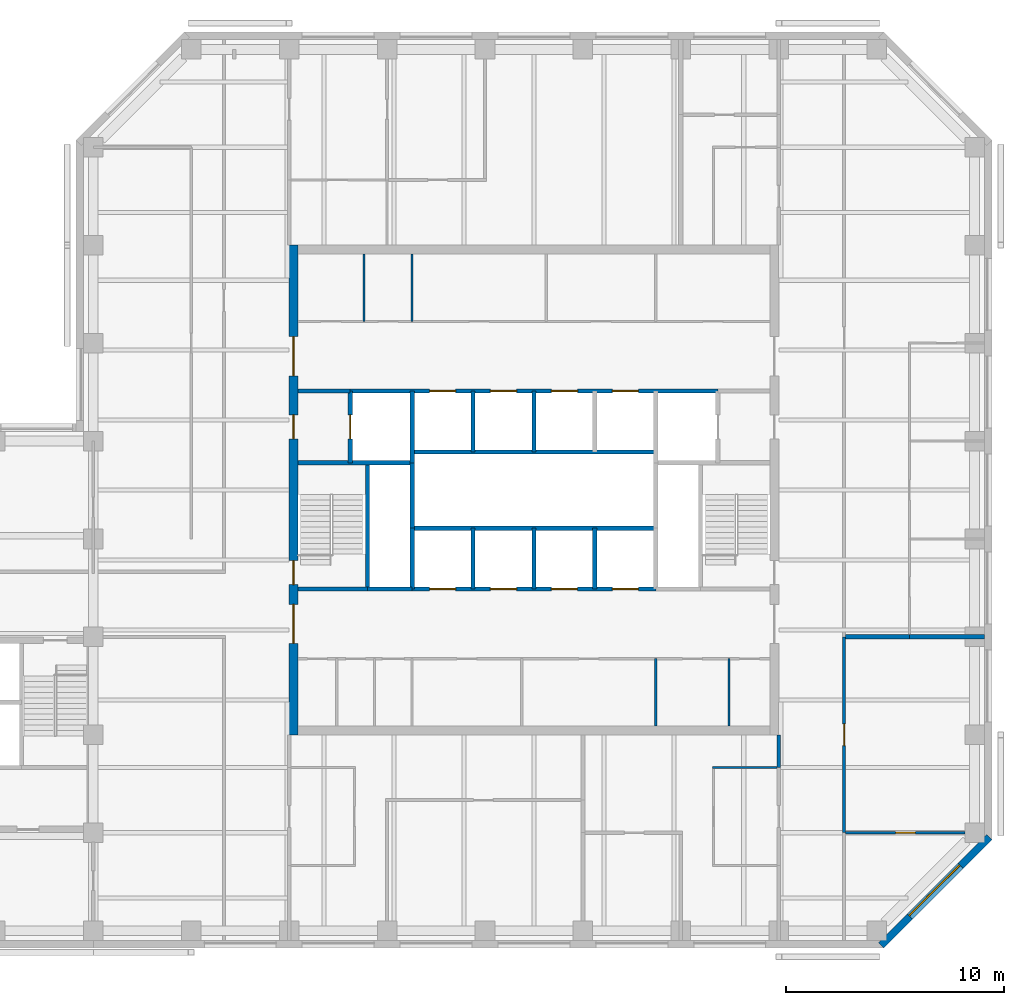
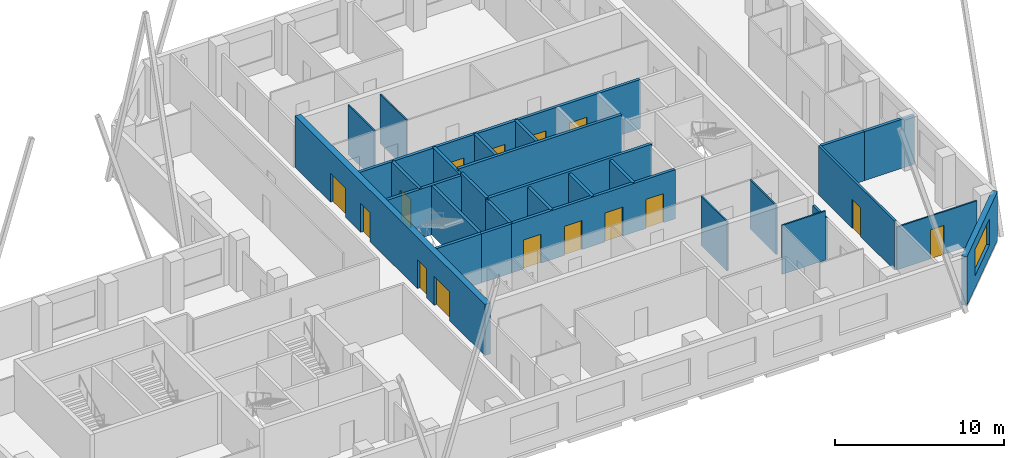
# One storey, part 5 of 9: 30 walls, 15 doors, 1 window, 16 openings.
"""IFC4 building model written with IfcOpenShell, lengths in metres."""

import ifcopenshell
import ifcopenshell.guid

model = None  # the IFC model being written
_history = None  # IfcOwnerHistory: only IFC2X3 demands one
_inside = {}  # id of a spatial element -> (the spatial element, [elements in it])
_under = {}  # id of a project, library or spatial element -> (it, [spatial elements below it])
_declared = {}  # id of a project -> (the project, [libraries it declares])
_typed = {}  # id of a type object -> (the type object, [elements of that type])
_made_of = {}  # id of a material, layer set ... -> (it, [elements and type objects made of it])


def new_model(schema):
    """Start an empty IFC model of exactly this schema.

    Asked for "IFC4X3", IfcOpenShell would pick the latest addendum, in which some entities
    have other attributes; the version numbers below select the first issue.
    IFC2X3 requires an IfcOwnerHistory on every rooted entity: one is made here for all.
    """
    global model, _history
    if schema == "IFC4X3":
        model = ifcopenshell.file(schema_version=(4, 3, 0, 0))
    else:
        model = ifcopenshell.file(schema=schema)
    _inside.clear()
    _under.clear()
    _declared.clear()
    _typed.clear()
    _made_of.clear()
    _history = None
    if model.schema == "IFC2X3":
        org = make("IfcOrganization", Name="unknown")
        user = make(
            "IfcPersonAndOrganization",
            ThePerson=make("IfcPerson", FamilyName="unknown"),
            TheOrganization=org,
        )
        app = make(
            "IfcApplication",
            ApplicationDeveloper=org,
            Version="unknown",
            ApplicationFullName="unknown",
            ApplicationIdentifier="unknown",
        )
        _history = make(
            "IfcOwnerHistory",
            OwningUser=user,
            OwningApplication=app,
            ChangeAction="ADDED",
            CreationDate=0,
        )
    return model


def make(cls, **values):
    """One entity of the class cls with the attributes given. An attribute that is None is left unset."""
    return model.create_entity(
        cls, **{name: value for name, value in values.items() if value is not None}
    )


def rooted(cls, **values):
    """An entity with a GlobalId (a new one), such as an element, a storey or a relation."""
    return make(cls, GlobalId=ifcopenshell.guid.new(), OwnerHistory=_history, **values)


def si_unit(unit_type, name, prefix=None):
    """IfcSIUnit, for example si_unit("LENGTHUNIT", "METRE", prefix="MILLI")."""
    return make("IfcSIUnit", UnitType=unit_type, Prefix=prefix, Name=name)


def assignment(units):
    """IfcUnitAssignment: the units of a project."""
    return None if units is None else make("IfcUnitAssignment", Units=units)


def point(xyz):
    """IfcCartesianPoint."""
    return None if xyz is None else make("IfcCartesianPoint", Coordinates=xyz)


def direction(xyz):
    """IfcDirection."""
    return None if xyz is None else make("IfcDirection", DirectionRatios=xyz)


def frame(location, z_axis=None, x_axis=None):
    """IfcAxis2Placement3D, a coordinate frame: its origin and axes. An axis left out is left unset."""
    return make(
        "IfcAxis2Placement3D",
        Location=point(location),
        Axis=direction(z_axis),
        RefDirection=direction(x_axis),
    )


def frame_2d(location, x_axis=None):
    """IfcAxis2Placement2D, a coordinate frame in the plane: its origin and x axis."""
    return make(
        "IfcAxis2Placement2D", Location=point(location), RefDirection=direction(x_axis)
    )


def origin():
    """The frame at (0, 0, 0) with its axes left unset."""
    return frame((0.0, 0.0, 0.0))


def place(relative_to, where):
    """IfcLocalPlacement: puts the frame where relative to a parent placement (None: the world)."""
    return make(
        "IfcLocalPlacement", PlacementRelTo=relative_to, RelativePlacement=where
    )


def context(
    kind, dimensions, precision=None, world=None, true_north=None, identifier=None
):
    """IfcGeometricRepresentationContext, for example the 3D "Model" context."""
    return make(
        "IfcGeometricRepresentationContext",
        ContextIdentifier=identifier,
        ContextType=kind,
        CoordinateSpaceDimension=dimensions,
        Precision=precision,
        WorldCoordinateSystem=world,
        TrueNorth=true_north,
    )


def subcontext(parent, identifier, kind, view, scale=None):
    """IfcGeometricRepresentationSubContext, for example "Body" below "Model"."""
    return make(
        "IfcGeometricRepresentationSubContext",
        ContextIdentifier=identifier,
        ContextType=kind,
        ParentContext=parent,
        TargetScale=scale,
        TargetView=view,
    )


def project(units=None, contexts=None):
    """IfcProject with its units and contexts."""
    return rooted(
        "IfcProject",
        Name="project",
        RepresentationContexts=contexts,
        UnitsInContext=assignment(units),
    )


def spatial(cls, under=None, at=None, **own):
    """A site, building, storey or space (cls), placed at a placement, below another one or the project."""
    s = rooted(cls, ObjectPlacement=at, **own)
    if under is not None:
        _under.setdefault(under.id(), (under, []))[1].append(s)
    return s


def profile(cls, at=None, kind="AREA", **sizes):
    """A parametric profile (cls). Its sizes go by their IFC names, for example OverallWidth=200.0."""
    return make(cls, ProfileType=kind, Position=at, **sizes)


def rectangle(**sizes):
    """IfcRectangleProfileDef."""
    return profile("IfcRectangleProfileDef", **sizes)


def extrude(swept, where, along, depth):
    """IfcExtrudedAreaSolid: the profile swept, set in the frame where, extruded along a direction by depth."""
    return make(
        "IfcExtrudedAreaSolid",
        SweptArea=swept,
        Position=where,
        ExtrudedDirection=direction(along),
        Depth=depth,
    )


def shape(context_of_items, identifier, shape_type, items):
    """IfcShapeRepresentation: the items that make up one representation, for example the "Body"."""
    return make(
        "IfcShapeRepresentation",
        ContextOfItems=context_of_items,
        RepresentationIdentifier=identifier,
        RepresentationType=shape_type,
        Items=items,
    )


def material(Name=None, Category=None):
    """IfcMaterial."""
    return make("IfcMaterial", Name=Name, Category=Category)


def layer(
    of_material, thickness, ventilated=None, Name=None, Category=None, Priority=None
):
    """IfcMaterialLayer: one layer of a wall or slab, of a material (None: an air gap)."""
    return make(
        "IfcMaterialLayer",
        Material=of_material,
        LayerThickness=thickness,
        IsVentilated=ventilated,
        Name=Name,
        Category=Category,
        Priority=Priority,
    )


def layer_set(layers, Name=None):
    """IfcMaterialLayerSet."""
    return make("IfcMaterialLayerSet", MaterialLayers=layers, LayerSetName=Name)


def constituent(of_material, Name=None, Category=None, fraction=None):
    """IfcMaterialConstituent: one of the materials an element consists of."""
    return make(
        "IfcMaterialConstituent",
        Name=Name,
        Material=of_material,
        Fraction=fraction,
        Category=Category,
    )


def constituent_set(constituents=None, Name=None):
    """IfcMaterialConstituentSet."""
    return make(
        "IfcMaterialConstituentSet", Name=Name, MaterialConstituents=constituents
    )


def made_of(thing, what):
    """Note that an element or type object is made of a material, layer set ...; save() writes the relation."""
    if what is not None:
        _made_of.setdefault(what.id(), (what, []))[1].append(thing)
    return thing


def type_object(cls, material=None, **own):
    """A type object (cls), such as IfcWallType, which elements share."""
    return made_of(rooted(cls, **own), material)


def element(
    cls,
    number,
    at=None,
    inside=None,
    cuts=None,
    type_object=None,
    material=None,
    context=None,
    identifier="Body",
    shape_type=None,
    held_by="IfcProductDefinitionShape",
    body=None,
    shapes=None,
    **own,
):
    """One element of the class cls, such as IfcWall. Its Tag is "e" and its number.

    at: its placement. inside: the storey or other place that contains it. cuts: it is an
    opening in that element (IfcRelVoidsElement). A single representation is given by context,
    identifier, shape_type and body (its items); several are given by shapes. held_by: the class
    of the entity that holds the representations. save() writes the other relations.
    """
    e = rooted(cls, Tag="e%d" % number, ObjectPlacement=at, **own)
    if body is not None:
        shapes = [shape(context, identifier, shape_type, body)]
    if shapes is not None:
        e.Representation = make(held_by, Representations=shapes)
    if inside is not None:
        _inside.setdefault(inside.id(), (inside, []))[1].append(e)
    if cuts is not None:
        rooted(
            "IfcRelVoidsElement", RelatingBuildingElement=cuts, RelatedOpeningElement=e
        )
    if type_object is not None:
        _typed.setdefault(type_object.id(), (type_object, []))[1].append(e)
    return made_of(e, material)


def fill(opening, filler):
    """IfcRelFillsElement: the door or window that sits in an opening."""
    return rooted(
        "IfcRelFillsElement",
        RelatingOpeningElement=opening,
        RelatedBuildingElement=filler,
    )


def aggregate(whole, parts):
    """IfcRelAggregates: a whole, such as a stair, and the parts it consists of."""
    return rooted("IfcRelAggregates", RelatingObject=whole, RelatedObjects=parts)


def save(model, path):
    """Write the relations noted so far, then the file.

    IfcRelAggregates (storeys below a building ...), IfcRelContainedInSpatialStructure (elements
    in a storey), IfcRelDefinesByType, IfcRelAssociatesMaterial and IfcRelDeclares: one each for
    every whole, place, type object, material and project.
    """
    for whole, parts in _under.values():
        aggregate(whole, parts)
    for where, things in _inside.values():
        rooted(
            "IfcRelContainedInSpatialStructure",
            RelatedElements=things,
            RelatingStructure=where,
        )
    for kind, things in _typed.values():
        rooted("IfcRelDefinesByType", RelatedObjects=things, RelatingType=kind)
    for what, things in _made_of.values():
        rooted("IfcRelAssociatesMaterial", RelatedObjects=things, RelatingMaterial=what)
    for by, libraries in _declared.values():
        rooted("IfcRelDeclares", RelatingContext=by, RelatedDefinitions=libraries)
    model.write(path)


model = new_model("IFC4")

# Units and contexts
model_context = context("Model", 3, precision=1e-05, world=origin(), true_north=direction((0.0, 1.0)))
body_context = subcontext(model_context, "Body", "Model", "MODEL_VIEW")
ifc_project = project(units=[si_unit("LENGTHUNIT", "METRE"), si_unit("AREAUNIT", "SQUARE_METRE"), si_unit("VOLUMEUNIT", "CUBIC_METRE"), si_unit("PLANEANGLEUNIT", "RADIAN"), si_unit("MASSUNIT", "GRAM", prefix="KILO")], contexts=[model_context])

# Site, building, storey
site_placement = place(None, origin())
site = spatial("IfcSite", under=ifc_project, at=site_placement, CompositionType="ELEMENT")
building_placement = place(site_placement, origin())
building = spatial("IfcBuilding", under=site, at=building_placement, Name="Quoin Convention Tower", CompositionType="ELEMENT")
storey_placement = place(building_placement, frame((0.0, 0.0, 219.300048828125)))
storey = spatial("IfcBuildingStorey", under=building, at=storey_placement, Name="L57", CompositionType="ELEMENT", Elevation=219.300048828125)

# Wall, opening, window
ifc_material_1 = material(Name="Brick masonry", Category="masonry")
ifc_layer_1 = layer(ifc_material_1, 0.35009765625)
ifc_layer_set_1 = layer_set([ifc_layer_1], Name="Brick masonry")
wall_type_1 = type_object("IfcWallType", Name="Brick facade wall", PredefinedType="STANDARD", material=ifc_layer_set_1)
wall_1_placement = place(storey_placement, frame((72.20751953125, 39.82373046875, 0.0), z_axis=(0.0, 0.0, 1.0), x_axis=(0.707106781187, 0.707106781187, 0.0)))
wall_1 = element("IfcWall", 1, at=wall_1_placement, inside=storey, type_object=wall_type_1, Name="fw-L57-72000_40500", PredefinedType="STANDARD", context=body_context, shape_type="SweptSolid", body=[
    extrude(rectangle(XDim=7.02685546875, YDim=0.35009765625, at=frame_2d((3.513427734375, 0.0))), origin(), (0.0, 0.0, 1.0), 3.52490234375),
])
opening_1_placement = place(wall_1_placement, frame((1.86328125, 0.0, 0.89990234375)))
opening_1 = element("IfcOpeningElement", 2, at=opening_1_placement, cuts=wall_1, Name="Opening W-02", PredefinedType="OPENING", context=body_context, shape_type="SweptSolid", body=[
    extrude(rectangle(XDim=3.300048828125, YDim=1.89990234375, at=frame_2d((1.64990234375, 0.949951171875))), frame((0.0, 0.18505859375, 0.0), z_axis=(0.0, -1.0, 0.0), x_axis=(1.0, 0.0, 0.0)), (0.0, 0.0, 1.0), 0.3701171875),
])
ifc_material_2 = material(Name="Aluminium", Category="aluminium")
ifc_constituent_1 = constituent(ifc_material_2, Name="Frame")
ifc_material_3 = material(Name="Insulated glass", Category="glass")
ifc_constituent_2 = constituent(ifc_material_3, Name="Glazing")
ifc_constituent_set = constituent_set(constituents=[ifc_constituent_1, ifc_constituent_2], Name="Aluminium")
window_type = type_object("IfcWindowType", Name="Office window", PartitioningType="DOUBLE_PANEL_VERTICAL", PredefinedType="WINDOW", material=ifc_constituent_set)
window_placement = place(opening_1_placement, origin())
window = element("IfcWindow", 3, at=window_placement, inside=storey, type_object=window_type, Name="win-L57-74692_42308", OverallHeight=1.89990234375, OverallWidth=3.300048828125, PartitioningType="SINGLE_PANEL", PredefinedType="WINDOW", context=body_context, shape_type="SweptSolid", body=[
    extrude(rectangle(XDim=3.300048828125, YDim=1.89990234375, at=frame_2d((1.64990234375, 0.949951171875))), frame((0.0, 0.0849609375, 0.0), z_axis=(0.0, -1.0, 0.0), x_axis=(1.0, 0.0, 0.0)), (0.0, 0.0, 1.0), 0.06005859375),
])
fill(opening_1, window)

# Walls
ifc_material_4 = material(Name="Plasterboard")
ifc_layer_2 = layer(ifc_material_4, 0.012451171875, Name="Finish")
ifc_material_5 = material(Name="Steel stud framing", Category="steel")
ifc_layer_3 = layer(ifc_material_5, 0.074951171875, Name="Structure")
ifc_layer_4 = layer(ifc_material_4, 0.012451171875, Name="Finish")
ifc_layer_set_2 = layer_set([ifc_layer_2, ifc_layer_3, ifc_layer_4], Name="Steel stud framing")
wall_type_2 = type_object("IfcWallType", Name="Core partition wall", PredefinedType="PARTITIONING", material=ifc_layer_set_2)
for number, where, z_axis, x_axis, name in (
    (4, (48.445068359375, 68.5, 0.0), (0.0, 0.0, 1.0), (0.0, 1.0, 0.0), "cr-C1-L57-v3445_19000"),
    (5, (50.64990234375, 68.5, 0.0), (0.0, 0.0, 1.0), (0.0, 1.0, 0.0), "cr-C1-L57-v5650_19000"),
    (6, (61.85009765625, 49.89990234375, 0.0), (0.0, 0.0, 1.0), (0.0, 1.0, 0.0), "cr-C1-L57-v16850_400"),
    (7, (65.2099609375, 49.89990234375, 0.0), (0.0, 0.0, 1.0), (0.0, 1.0, 0.0), "cr-C1-L57-v20210_400"),
):
    element("IfcWall", number, at=place(storey_placement, frame(where, z_axis=z_axis, x_axis=x_axis)), inside=storey, type_object=wall_type_2, Name=name, PredefinedType="PARTITIONING", context=body_context, shape_type="SweptSolid", body=[
        extrude(rectangle(XDim=3.10009765625, YDim=0.10009765625, at=frame_2d((1.550048828125, 0.0))), origin(), (0.0, 0.0, 1.0), 3.550048828125),
    ])
ifc_material_6 = material(Name="Concrete C50", Category="concrete")
ifc_layer_5 = layer(ifc_material_6, 0.199951171875)
ifc_layer_set_3 = layer_set([ifc_layer_5], Name="Concrete C50")
wall_type_3 = type_object("IfcWallType", Name="Core shaft wall", PredefinedType="SOLIDWALL", material=ifc_layer_set_3)
wall_2_placement = place(storey_placement, frame((48.60009765625, 56.199951171875, 0.0), z_axis=(0.0, 0.0, 1.0), x_axis=(1.0, 0.0, 0.0)))
element("IfcWall", 8, at=wall_2_placement, inside=storey, type_object=wall_type_3, Name="cr-C1-L57-h6700_3600", PredefinedType="SOLIDWALL", context=body_context, shape_type="SweptSolid", body=[
    extrude(rectangle(XDim=2.0498046875, YDim=0.199951171875, at=frame_2d((1.02490234375, 0.0))), origin(), (0.0, 0.0, 1.0), 3.550048828125),
])
wall_3_placement = place(storey_placement, frame((45.39990234375, 56.199951171875, 0.0), z_axis=(0.0, 0.0, 1.0), x_axis=(1.0, 0.0, 0.0)))
element("IfcWall", 9, at=wall_3_placement, inside=storey, type_object=wall_type_3, Name="cr-C1-L57-h6700_400", PredefinedType="SOLIDWALL", context=body_context, shape_type="SweptSolid", body=[
    extrude(rectangle(XDim=3.2001953125, YDim=0.199951171875, at=frame_2d((1.60009765625, 0.0))), origin(), (0.0, 0.0, 1.0), 3.550048828125),
])

# Wall, openings, doors
wall_4_placement = place(storey_placement, frame((50.64990234375, 56.199951171875, 0.0), z_axis=(0.0, 0.0, 1.0), x_axis=(1.0, 0.0, 0.0)))
wall_4 = element("IfcWall", 10, at=wall_4_placement, inside=storey, type_object=wall_type_3, Name="cr-C1-L57-h6700_5650", PredefinedType="SOLIDWALL", context=body_context, shape_type="SweptSolid", body=[
    extrude(rectangle(XDim=11.2001953125, YDim=0.199951171875, at=frame_2d((5.60009765625, 0.0))), origin(), (0.0, 0.0, 1.0), 3.550048828125),
])
opening_2_placement = place(wall_4_placement, frame((0.800048828125, 0.0, 0.0)))
opening_2 = element("IfcOpeningElement", 11, at=opening_2_placement, cuts=wall_4, Name="Opening LDH1", PredefinedType="OPENING", context=body_context, shape_type="SweptSolid", body=[
    extrude(rectangle(XDim=1.199951171875, YDim=2.10009765625, at=frame_2d((0.60009765625, 1.050048828125))), frame((0.0, 0.10986328125, 0.0), z_axis=(0.0, -1.0, 0.0), x_axis=(1.0, 0.0, 0.0)), (0.0, 0.0, 1.0), 0.219970703125),
])
opening_3_placement = place(wall_4_placement, frame((3.60009765625, 0.0, 0.0)))
opening_3 = element("IfcOpeningElement", 12, at=opening_3_placement, cuts=wall_4, Name="Opening LDH2", PredefinedType="OPENING", context=body_context, shape_type="SweptSolid", body=[
    extrude(rectangle(XDim=1.199951171875, YDim=2.10009765625, at=frame_2d((0.60009765625, 1.050048828125))), frame((0.0, 0.10986328125, 0.0), z_axis=(0.0, -1.0, 0.0), x_axis=(1.0, 0.0, 0.0)), (0.0, 0.0, 1.0), 0.219970703125),
])
opening_4_placement = place(wall_4_placement, frame((6.39990234375, 0.0, 0.0)))
opening_4 = element("IfcOpeningElement", 13, at=opening_4_placement, cuts=wall_4, Name="Opening LDH3", PredefinedType="OPENING", context=body_context, shape_type="SweptSolid", body=[
    extrude(rectangle(XDim=1.199951171875, YDim=2.10009765625, at=frame_2d((0.60009765625, 1.050048828125))), frame((0.0, 0.10986328125, 0.0), z_axis=(0.0, -1.0, 0.0), x_axis=(1.0, 0.0, 0.0)), (0.0, 0.0, 1.0), 0.219970703125),
])
opening_5_placement = place(wall_4_placement, frame((9.199951171875, 0.0, 0.0)))
opening_5 = element("IfcOpeningElement", 14, at=opening_5_placement, cuts=wall_4, Name="Opening LDH4", PredefinedType="OPENING", context=body_context, shape_type="SweptSolid", body=[
    extrude(rectangle(XDim=1.199951171875, YDim=2.10009765625, at=frame_2d((0.60009765625, 1.050048828125))), frame((0.0, 0.10986328125, 0.0), z_axis=(0.0, -1.0, 0.0), x_axis=(1.0, 0.0, 0.0)), (0.0, 0.0, 1.0), 0.219970703125),
])
ifc_material_7 = material(Name="Steel door leaf", Category="steel")
door_type_1 = type_object("IfcDoorType", Name="Lift landing door 1200 x 2100", OperationType="DOUBLE_DOOR_SLIDING", PredefinedType="DOOR", material=ifc_material_7)
door_1_placement = place(opening_2_placement, origin())
door_1 = element("IfcDoor", 15, at=door_1_placement, inside=storey, type_object=door_type_1, Name="cd-C1-L57-R20-lobA-LDH1", OperationType="DOUBLE_DOOR_SLIDING", OverallHeight=2.10009765625, OverallWidth=1.199951171875, PredefinedType="DOOR", context=body_context, shape_type="SweptSolid", body=[
    extrude(rectangle(XDim=1.199951171875, YDim=2.10009765625, at=frame_2d((0.60009765625, 1.050048828125))), frame((0.0, 0.02490234375, 0.0), z_axis=(0.0, -1.0, 0.0), x_axis=(1.0, 0.0, 0.0)), (0.0, 0.0, 1.0), 0.050048828125),
])
fill(opening_2, door_1)
door_2_placement = place(opening_3_placement, origin())
door_2 = element("IfcDoor", 16, at=door_2_placement, inside=storey, type_object=door_type_1, Name="cd-C1-L57-R21-lobA-LDH2", OperationType="DOUBLE_DOOR_SLIDING", OverallHeight=2.10009765625, OverallWidth=1.199951171875, PredefinedType="DOOR", context=body_context, shape_type="SweptSolid", body=[
    extrude(rectangle(XDim=1.199951171875, YDim=2.10009765625, at=frame_2d((0.60009765625, 1.050048828125))), frame((0.0, 0.02490234375, 0.0), z_axis=(0.0, -1.0, 0.0), x_axis=(1.0, 0.0, 0.0)), (0.0, 0.0, 1.0), 0.050048828125),
])
fill(opening_3, door_2)
door_3_placement = place(opening_4_placement, origin())
door_3 = element("IfcDoor", 17, at=door_3_placement, inside=storey, type_object=door_type_1, Name="cd-C1-L57-R22-lobA-LDH3", OperationType="DOUBLE_DOOR_SLIDING", OverallHeight=2.10009765625, OverallWidth=1.199951171875, PredefinedType="DOOR", context=body_context, shape_type="SweptSolid", body=[
    extrude(rectangle(XDim=1.199951171875, YDim=2.10009765625, at=frame_2d((0.60009765625, 1.050048828125))), frame((0.0, 0.02490234375, 0.0), z_axis=(0.0, -1.0, 0.0), x_axis=(1.0, 0.0, 0.0)), (0.0, 0.0, 1.0), 0.050048828125),
])
fill(opening_4, door_3)
door_4_placement = place(opening_5_placement, origin())
door_4 = element("IfcDoor", 18, at=door_4_placement, inside=storey, type_object=door_type_1, Name="cd-C1-L57-R23-lobA-LDH4", OperationType="DOUBLE_DOOR_SLIDING", OverallHeight=2.10009765625, OverallWidth=1.199951171875, PredefinedType="DOOR", context=body_context, shape_type="SweptSolid", body=[
    extrude(rectangle(XDim=1.199951171875, YDim=2.10009765625, at=frame_2d((0.60009765625, 1.050048828125))), frame((0.0, 0.02490234375, 0.0), z_axis=(0.0, -1.0, 0.0), x_axis=(1.0, 0.0, 0.0)), (0.0, 0.0, 1.0), 0.050048828125),
])
fill(opening_5, door_4)

# Walls
wall_5_placement = place(storey_placement, frame((45.39990234375, 62.0, 0.0), z_axis=(0.0, 0.0, 1.0), x_axis=(1.0, 0.0, 0.0)))
element("IfcWall", 19, at=wall_5_placement, inside=storey, type_object=wall_type_3, Name="cr-C1-L57-h12500_400", PredefinedType="SOLIDWALL", context=body_context, shape_type="SweptSolid", body=[
    extrude(rectangle(XDim=5.25, YDim=0.199951171875, at=frame_2d((2.625, 0.0))), origin(), (0.0, 0.0, 1.0), 3.550048828125),
])
wall_6_placement = place(storey_placement, frame((45.39990234375, 65.300048828125, 0.0), z_axis=(0.0, 0.0, 1.0), x_axis=(1.0, 0.0, 0.0)))
element("IfcWall", 20, at=wall_6_placement, inside=storey, type_object=wall_type_3, Name="cr-C1-L57-h15800_400", PredefinedType="SOLIDWALL", context=body_context, shape_type="SweptSolid", body=[
    extrude(rectangle(XDim=2.400146484375, YDim=0.199951171875, at=frame_2d((1.2001953125, 0.0))), origin(), (0.0, 0.0, 1.0), 3.550048828125),
])

# Wall, openings, doors
wall_7_placement = place(storey_placement, frame((47.800048828125, 65.300048828125, 0.0), z_axis=(0.0, 0.0, 1.0), x_axis=(1.0, 0.0, 0.0)))
wall_7 = element("IfcWall", 21, at=wall_7_placement, inside=storey, type_object=wall_type_3, Name="cr-C1-L57-h15800_2800", PredefinedType="SOLIDWALL", context=body_context, shape_type="SweptSolid", body=[
    extrude(rectangle(XDim=16.89990234375, YDim=0.199951171875, at=frame_2d((8.449951171875, 0.0))), origin(), (0.0, 0.0, 1.0), 3.550048828125),
])
opening_6_placement = place(wall_7_placement, frame((3.64990234375, 0.0, 0.0)))
opening_6 = element("IfcOpeningElement", 22, at=opening_6_placement, cuts=wall_7, Name="Opening LDH5", PredefinedType="OPENING", context=body_context, shape_type="SweptSolid", body=[
    extrude(rectangle(XDim=1.199951171875, YDim=2.10009765625, at=frame_2d((0.60009765625, 1.050048828125))), frame((0.0, 0.10986328125, 0.0), z_axis=(0.0, -1.0, 0.0), x_axis=(1.0, 0.0, 0.0)), (0.0, 0.0, 1.0), 0.219970703125),
])
opening_7_placement = place(wall_7_placement, frame((6.449951171875, 0.0, 0.0)))
opening_7 = element("IfcOpeningElement", 23, at=opening_7_placement, cuts=wall_7, Name="Opening LDH6", PredefinedType="OPENING", context=body_context, shape_type="SweptSolid", body=[
    extrude(rectangle(XDim=1.199951171875, YDim=2.10009765625, at=frame_2d((0.60009765625, 1.050048828125))), frame((0.0, 0.10986328125, 0.0), z_axis=(0.0, -1.0, 0.0), x_axis=(1.0, 0.0, 0.0)), (0.0, 0.0, 1.0), 0.219970703125),
])
opening_8_placement = place(wall_7_placement, frame((9.25, 0.0, 0.0)))
opening_8 = element("IfcOpeningElement", 24, at=opening_8_placement, cuts=wall_7, Name="Opening LDH7", PredefinedType="OPENING", context=body_context, shape_type="SweptSolid", body=[
    extrude(rectangle(XDim=1.199951171875, YDim=2.10009765625, at=frame_2d((0.60009765625, 1.050048828125))), frame((0.0, 0.10986328125, 0.0), z_axis=(0.0, -1.0, 0.0), x_axis=(1.0, 0.0, 0.0)), (0.0, 0.0, 1.0), 0.219970703125),
])
opening_9_placement = place(wall_7_placement, frame((12.050048828125, 0.0, 0.0)))
opening_9 = element("IfcOpeningElement", 25, at=opening_9_placement, cuts=wall_7, Name="Opening LDH8", PredefinedType="OPENING", context=body_context, shape_type="SweptSolid", body=[
    extrude(rectangle(XDim=1.199951171875, YDim=2.10009765625, at=frame_2d((0.60009765625, 1.050048828125))), frame((0.0, 0.10986328125, 0.0), z_axis=(0.0, -1.0, 0.0), x_axis=(1.0, 0.0, 0.0)), (0.0, 0.0, 1.0), 0.219970703125),
])
door_5_placement = place(opening_6_placement, origin())
door_5 = element("IfcDoor", 26, at=door_5_placement, inside=storey, type_object=door_type_1, Name="cd-C1-L57-R30-lobB-LDH5", OperationType="DOUBLE_DOOR_SLIDING", OverallHeight=2.10009765625, OverallWidth=1.199951171875, PredefinedType="DOOR", context=body_context, shape_type="SweptSolid", body=[
    extrude(rectangle(XDim=1.199951171875, YDim=2.10009765625, at=frame_2d((0.60009765625, 1.050048828125))), frame((0.0, 0.02490234375, 0.0), z_axis=(0.0, -1.0, 0.0), x_axis=(1.0, 0.0, 0.0)), (0.0, 0.0, 1.0), 0.050048828125),
])
fill(opening_6, door_5)
door_6_placement = place(opening_7_placement, origin())
door_6 = element("IfcDoor", 27, at=door_6_placement, inside=storey, type_object=door_type_1, Name="cd-C1-L57-R31-lobB-LDH6", OperationType="DOUBLE_DOOR_SLIDING", OverallHeight=2.10009765625, OverallWidth=1.199951171875, PredefinedType="DOOR", context=body_context, shape_type="SweptSolid", body=[
    extrude(rectangle(XDim=1.199951171875, YDim=2.10009765625, at=frame_2d((0.60009765625, 1.050048828125))), frame((0.0, 0.02490234375, 0.0), z_axis=(0.0, -1.0, 0.0), x_axis=(1.0, 0.0, 0.0)), (0.0, 0.0, 1.0), 0.050048828125),
])
fill(opening_7, door_6)
door_7_placement = place(opening_8_placement, origin())
door_7 = element("IfcDoor", 28, at=door_7_placement, inside=storey, type_object=door_type_1, Name="cd-C1-L57-R32-lobB-LDH7", OperationType="DOUBLE_DOOR_SLIDING", OverallHeight=2.10009765625, OverallWidth=1.199951171875, PredefinedType="DOOR", context=body_context, shape_type="SweptSolid", body=[
    extrude(rectangle(XDim=1.199951171875, YDim=2.10009765625, at=frame_2d((0.60009765625, 1.050048828125))), frame((0.0, 0.02490234375, 0.0), z_axis=(0.0, -1.0, 0.0), x_axis=(1.0, 0.0, 0.0)), (0.0, 0.0, 1.0), 0.050048828125),
])
fill(opening_8, door_7)
door_8_placement = place(opening_9_placement, origin())
door_8 = element("IfcDoor", 29, at=door_8_placement, inside=storey, type_object=door_type_1, Name="cd-C1-L57-R33-lobB-LDH8", OperationType="DOUBLE_DOOR_SLIDING", OverallHeight=2.10009765625, OverallWidth=1.199951171875, PredefinedType="DOOR", context=body_context, shape_type="SweptSolid", body=[
    extrude(rectangle(XDim=1.199951171875, YDim=2.10009765625, at=frame_2d((0.60009765625, 1.050048828125))), frame((0.0, 0.02490234375, 0.0), z_axis=(0.0, -1.0, 0.0), x_axis=(1.0, 0.0, 0.0)), (0.0, 0.0, 1.0), 0.050048828125),
])
fill(opening_9, door_8)

# Wall, opening, door
wall_8_placement = place(storey_placement, frame((47.800048828125, 62.0, 0.0), z_axis=(0.0, 0.0, 1.0), x_axis=(0.0, 1.0, 0.0)))
wall_8 = element("IfcWall", 30, at=wall_8_placement, inside=storey, type_object=wall_type_3, Name="cr-C1-L57-v2800_12500", PredefinedType="SOLIDWALL", context=body_context, shape_type="SweptSolid", body=[
    extrude(rectangle(XDim=3.300048828125, YDim=0.199951171875, at=frame_2d((1.64990234375, 0.0))), origin(), (0.0, 0.0, 1.0), 3.550048828125),
])
opening_10_placement = place(wall_8_placement, frame((1.10009765625, 0.0, 0.0)))
opening_10 = element("IfcOpeningElement", 31, at=opening_10_placement, cuts=wall_8, Name="Opening LDFL1", PredefinedType="OPENING", context=body_context, shape_type="SweptSolid", body=[
    extrude(rectangle(XDim=1.10009765625, YDim=2.10009765625, at=frame_2d((0.550048828125, 1.050048828125))), frame((0.0, 0.10986328125, 0.0), z_axis=(0.0, -1.0, 0.0), x_axis=(1.0, 0.0, 0.0)), (0.0, 0.0, 1.0), 0.219970703125),
])
door_type_2 = type_object("IfcDoorType", Name="Lift landing door 1100 x 2100", OperationType="DOUBLE_DOOR_SLIDING", PredefinedType="DOOR", material=ifc_material_7)
door_9_placement = place(opening_10_placement, origin())
door_9 = element("IfcDoor", 32, at=door_9_placement, inside=storey, type_object=door_type_2, Name="cd-C1-L57-FLW-FFW-LDFL1", OperationType="DOUBLE_DOOR_SLIDING", OverallHeight=2.10009765625, OverallWidth=1.10009765625, PredefinedType="DOOR", context=body_context, shape_type="SweptSolid", body=[
    extrude(rectangle(XDim=1.10009765625, YDim=2.10009765625, at=frame_2d((0.550048828125, 1.050048828125))), frame((0.0, 0.02490234375, 0.0), z_axis=(0.0, -1.0, 0.0), x_axis=(1.0, 0.0, 0.0)), (0.0, 0.0, 1.0), 0.050048828125),
])
fill(opening_10, door_9)

# Walls
wall_9_placement = place(storey_placement, frame((48.60009765625, 56.199951171875, 0.0), z_axis=(0.0, 0.0, 1.0), x_axis=(0.0, 1.0, 0.0)))
element("IfcWall", 33, at=wall_9_placement, inside=storey, type_object=wall_type_3, Name="cr-C1-L57-v3600_6700", PredefinedType="SOLIDWALL", context=body_context, shape_type="SweptSolid", body=[
    extrude(rectangle(XDim=5.800048828125, YDim=0.199951171875, at=frame_2d((2.89990234375, 0.0))), origin(), (0.0, 0.0, 1.0), 3.550048828125),
])
wall_10_placement = place(storey_placement, frame((50.64990234375, 56.199951171875, 0.0), z_axis=(0.0, 0.0, 1.0), x_axis=(0.0, 1.0, 0.0)))
element("IfcWall", 34, at=wall_10_placement, inside=storey, type_object=wall_type_3, Name="cr-C1-L57-v5650_6700", PredefinedType="SOLIDWALL", context=body_context, shape_type="SweptSolid", body=[
    extrude(rectangle(XDim=2.800048828125, YDim=0.199951171875, at=frame_2d((1.39990234375, 0.0))), origin(), (0.0, 0.0, 1.0), 3.550048828125),
])
wall_11_placement = place(storey_placement, frame((50.64990234375, 62.0, 0.0), z_axis=(0.0, 0.0, 1.0), x_axis=(0.0, 1.0, 0.0)))
element("IfcWall", 35, at=wall_11_placement, inside=storey, type_object=wall_type_3, Name="cr-C1-L57-v5650_12500", PredefinedType="SOLIDWALL", context=body_context, shape_type="SweptSolid", body=[
    extrude(rectangle(XDim=3.300048828125, YDim=0.199951171875, at=frame_2d((1.64990234375, 0.0))), origin(), (0.0, 0.0, 1.0), 3.550048828125),
])
for number, where, z_axis, x_axis, name in (
    (36, (53.449951171875, 56.199951171875, 0.0), (0.0, 0.0, 1.0), (0.0, 1.0, 0.0), "cr-C1-L57-v8450_6700"),
    (37, (53.449951171875, 62.5, 0.0), (0.0, 0.0, 1.0), (0.0, 1.0, 0.0), "cr-C1-L57-v8450_13000"),
    (38, (56.25, 56.199951171875, 0.0), (0.0, 0.0, 1.0), (0.0, 1.0, 0.0), "cr-C1-L57-v11250_6700"),
    (39, (56.25, 62.5, 0.0), (0.0, 0.0, 1.0), (0.0, 1.0, 0.0), "cr-C1-L57-v11250_13000"),
    (40, (59.050048828125, 56.199951171875, 0.0), (0.0, 0.0, 1.0), (0.0, 1.0, 0.0), "cr-C1-L57-v14050_6700"),
):
    element("IfcWall", number, at=place(storey_placement, frame(where, z_axis=z_axis, x_axis=x_axis)), inside=storey, type_object=wall_type_3, Name=name, PredefinedType="SOLIDWALL", context=body_context, shape_type="SweptSolid", body=[
        extrude(rectangle(XDim=2.800048828125, YDim=0.199951171875, at=frame_2d((1.39990234375, 0.0))), origin(), (0.0, 0.0, 1.0), 3.550048828125),
    ])
ifc_layer_6 = layer(ifc_material_6, 0.199951171875)
ifc_layer_set_4 = layer_set([ifc_layer_6], Name="Concrete C50")
wall_type_4 = type_object("IfcWallType", Name="Core shaft wall to the floor level over", PredefinedType="SOLIDWALL", material=ifc_layer_set_4)
for number, where, z_axis, x_axis, name in (
    (41, (50.64990234375, 59.0, 0.0), (0.0, 0.0, 1.0), (1.0, 0.0, 0.0), "cr-C1-L57-h9500_5650"),
    (42, (50.64990234375, 62.5, 0.0), (0.0, 0.0, 1.0), (1.0, 0.0, 0.0), "cr-C1-L57-h13000_5650"),
):
    element("IfcWall", number, at=place(storey_placement, frame(where, z_axis=z_axis, x_axis=x_axis)), inside=storey, type_object=wall_type_4, Name=name, PredefinedType="SOLIDWALL", context=body_context, shape_type="SweptSolid", body=[
        extrude(rectangle(XDim=11.2001953125, YDim=0.199951171875, at=frame_2d((5.60009765625, 0.0))), origin(), (0.0, 0.0, 1.0), 3.699951171875),
    ])
wall_12_placement = place(storey_placement, frame((50.64990234375, 59.0, 0.0), z_axis=(0.0, 0.0, 1.0), x_axis=(0.0, 1.0, 0.0)))
element("IfcWall", 43, at=wall_12_placement, inside=storey, type_object=wall_type_4, Name="cr-C1-L57-v5650_9500", PredefinedType="SOLIDWALL", context=body_context, shape_type="SweptSolid", body=[
    extrude(rectangle(XDim=3.0, YDim=0.199951171875, at=frame_2d((1.5, 0.0))), origin(), (0.0, 0.0, 1.0), 3.699951171875),
])

# Wall, opening, door
ifc_layer_7 = layer(ifc_material_4, 0.012451171875, Name="Finish")
ifc_layer_8 = layer(ifc_material_5, 0.125, Name="Structure")
ifc_layer_9 = layer(ifc_material_4, 0.012451171875, Name="Finish")
ifc_layer_set_5 = layer_set([ifc_layer_7, ifc_layer_8, ifc_layer_9], Name="Steel stud framing")
wall_type_5 = type_object("IfcWallType", Name="Corridor wall 150", PredefinedType="PARTITIONING", material=ifc_layer_set_5)
wall_13_placement = place(storey_placement, frame((70.5, 45.0, 0.0), z_axis=(0.0, 0.0, 1.0), x_axis=(0.0, 1.0, 0.0)))
wall_13 = element("IfcWall", 44, at=wall_13_placement, inside=storey, type_object=wall_type_5, Name="pw-L57-040", PredefinedType="PARTITIONING", context=body_context, shape_type="SweptSolid", body=[
    extrude(rectangle(XDim=9.0, YDim=0.14990234375, at=frame_2d((4.5, 0.0))), origin(), (0.0, 0.0, 1.0), 3.550048828125),
])
opening_11_placement = place(wall_13_placement, frame((4.0, 0.0, 0.0)))
opening_11 = element("IfcOpeningElement", 45, at=opening_11_placement, cuts=wall_13, Name="Opening DOH9-14", PredefinedType="OPENING", context=body_context, shape_type="SweptSolid", body=[
    extrude(rectangle(XDim=1.0, YDim=2.10009765625, at=frame_2d((0.5, 1.050048828125))), frame((0.0, 0.0849609375, 0.0), z_axis=(0.0, -1.0, 0.0), x_axis=(1.0, 0.0, 0.0)), (0.0, 0.0, 1.0), 0.169921875),
])
door_type_3 = type_object("IfcDoorType", Name="Tenancy entrance door 1000 x 2100", OperationType="DOUBLE_DOOR_SINGLE_SWING", PredefinedType="DOOR", material=ifc_material_7)
door_10_placement = place(opening_11_placement, frame((1.0, 0.0, 0.0), z_axis=(0.0, 0.0, 1.0), x_axis=(-1.0, 0.0, 0.0)))
door_10 = element("IfcDoor", 46, at=door_10_placement, inside=storey, type_object=door_type_3, Name="dr-L57-20", OperationType="DOUBLE_DOOR_SINGLE_SWING", OverallHeight=2.10009765625, OverallWidth=1.0, PredefinedType="DOOR", context=body_context, shape_type="SweptSolid", body=[
    extrude(rectangle(XDim=1.0, YDim=2.10009765625, at=frame_2d((0.5, 1.050048828125))), frame((0.0, 0.02490234375, 0.0), z_axis=(0.0, -1.0, 0.0), x_axis=(1.0, 0.0, 0.0)), (0.0, 0.0, 1.0), 0.050048828125),
])
fill(opening_11, door_10)

# Wall
ifc_layer_10 = layer(ifc_material_4, 0.012451171875, Name="Finish")
ifc_layer_11 = layer(ifc_material_5, 0.125, Name="Structure")
ifc_layer_12 = layer(ifc_material_4, 0.012451171875, Name="Finish")
ifc_layer_set_6 = layer_set([ifc_layer_10, ifc_layer_11, ifc_layer_12], Name="Steel stud framing")
wall_type_6 = type_object("IfcWallType", Name="Corridor wall 150 under beam 528", PredefinedType="PARTITIONING", material=ifc_layer_set_6)
wall_14_placement = place(storey_placement, frame((67.5, 48.0, 0.0), z_axis=(0.0, 0.0, 1.0), x_axis=(0.0, 1.0, 0.0)))
element("IfcWall", 47, at=wall_14_placement, inside=storey, type_object=wall_type_6, Name="pw-L57-046", PredefinedType="PARTITIONING", context=body_context, shape_type="SweptSolid", body=[
    extrude(rectangle(XDim=1.5, YDim=0.14990234375, at=frame_2d((0.75, 0.0))), origin(), (0.0, 0.0, 1.0), 3.02197265625),
])

# Wall, openings, doors
ifc_layer_13 = layer(ifc_material_6, 0.39990234375)
ifc_layer_set_7 = layer_set([ifc_layer_13], Name="Concrete C50")
wall_type_7 = type_object("IfcWallType", Name="RC CORE WALL 400 C50", PredefinedType="SHEAR", material=ifc_layer_set_7)
wall_15_placement = place(storey_placement, frame((45.199951171875, 49.5, 0.0), z_axis=(0.0, 0.0, 1.0), x_axis=(0.0, 1.0, 0.0)))
wall_15 = element("IfcWall", 48, at=wall_15_placement, inside=storey, type_object=wall_type_7, Name="cwl-C1-L57-W", PredefinedType="SHEAR", context=body_context, shape_type="SweptSolid", body=[
    extrude(rectangle(XDim=22.5, YDim=0.39990234375, at=frame_2d((11.25, 0.0))), origin(), (0.0, 0.0, 1.0), 3.699951171875),
])
opening_12_placement = place(wall_15_placement, frame((4.199951171875, 0.0, 0.0)))
opening_12 = element("IfcOpeningElement", 49, at=opening_12_placement, cuts=wall_15, Name="Opening DCV1-49", PredefinedType="OPENING", context=body_context, shape_type="SweptSolid", body=[
    extrude(rectangle(XDim=1.800048828125, YDim=2.10009765625, at=frame_2d((0.89990234375, 1.050048828125))), frame((0.0, 0.2099609375, 0.0), z_axis=(0.0, -1.0, 0.0), x_axis=(1.0, 0.0, 0.0)), (0.0, 0.0, 1.0), 0.419921875),
])
opening_13_placement = place(wall_15_placement, frame((6.89990234375, 0.0, 0.0)))
opening_13 = element("IfcOpeningElement", 50, at=opening_13_placement, cuts=wall_15, Name="Opening SD1", PredefinedType="OPENING", context=body_context, shape_type="SweptSolid", body=[
    extrude(rectangle(XDim=1.10009765625, YDim=2.10009765625, at=frame_2d((0.550048828125, 1.050048828125))), frame((0.0, 0.2099609375, 0.0), z_axis=(0.0, -1.0, 0.0), x_axis=(1.0, 0.0, 0.0)), (0.0, 0.0, 1.0), 0.419921875),
])
opening_14_placement = place(wall_15_placement, frame((13.60009765625, 0.0, 0.0)))
opening_14 = element("IfcOpeningElement", 51, at=opening_14_placement, cuts=wall_15, Name="Opening DCV1-48", PredefinedType="OPENING", context=body_context, shape_type="SweptSolid", body=[
    extrude(rectangle(XDim=1.10009765625, YDim=2.10009765625, at=frame_2d((0.550048828125, 1.050048828125))), frame((0.0, 0.2099609375, 0.0), z_axis=(0.0, -1.0, 0.0), x_axis=(1.0, 0.0, 0.0)), (0.0, 0.0, 1.0), 0.419921875),
])
opening_15_placement = place(wall_15_placement, frame((16.5, 0.0, 0.0)))
opening_15 = element("IfcOpeningElement", 52, at=opening_15_placement, cuts=wall_15, Name="Opening DCV1-49", PredefinedType="OPENING", context=body_context, shape_type="SweptSolid", body=[
    extrude(rectangle(XDim=1.800048828125, YDim=2.10009765625, at=frame_2d((0.89990234375, 1.050048828125))), frame((0.0, 0.2099609375, 0.0), z_axis=(0.0, -1.0, 0.0), x_axis=(1.0, 0.0, 0.0)), (0.0, 0.0, 1.0), 0.419921875),
])
door_type_4 = type_object("IfcDoorType", Name="Fire-fighting lobby door 1100 x 2100", OperationType="SINGLE_SWING_LEFT", PredefinedType="DOOR", material=ifc_material_7)
door_11_placement = place(opening_14_placement, frame((1.10009765625, 0.0, 0.0), z_axis=(0.0, 0.0, 1.0), x_axis=(-1.0, 0.0, 0.0)))
door_11 = element("IfcDoor", 53, at=door_11_placement, inside=storey, type_object=door_type_4, Name="cd-C1-L57-FFW-W", OperationType="SINGLE_SWING_LEFT", OverallHeight=2.10009765625, OverallWidth=1.10009765625, PredefinedType="DOOR", context=body_context, shape_type="SweptSolid", body=[
    extrude(rectangle(XDim=1.10009765625, YDim=2.10009765625, at=frame_2d((0.550048828125, 1.050048828125))), frame((0.0, 0.02490234375, 0.0), z_axis=(0.0, -1.0, 0.0), x_axis=(1.0, 0.0, 0.0)), (0.0, 0.0, 1.0), 0.050048828125),
])
fill(opening_14, door_11)
door_type_5 = type_object("IfcDoorType", Name="Lift lobby door 1800 x 2100", OperationType="SINGLE_SWING_LEFT", PredefinedType="DOOR", material=ifc_material_7)
door_12_placement = place(opening_12_placement, frame((1.800048828125, 0.0, 0.0), z_axis=(0.0, 0.0, 1.0), x_axis=(-1.0, 0.0, 0.0)))
door_12 = element("IfcDoor", 54, at=door_12_placement, inside=storey, type_object=door_type_5, Name="cd-C1-L57-lobA-W", OperationType="SINGLE_SWING_LEFT", OverallHeight=2.10009765625, OverallWidth=1.800048828125, PredefinedType="DOOR", context=body_context, shape_type="SweptSolid", body=[
    extrude(rectangle(XDim=1.800048828125, YDim=2.10009765625, at=frame_2d((0.89990234375, 1.050048828125))), frame((0.0, 0.02490234375, 0.0), z_axis=(0.0, -1.0, 0.0), x_axis=(1.0, 0.0, 0.0)), (0.0, 0.0, 1.0), 0.050048828125),
])
fill(opening_12, door_12)
door_13_placement = place(opening_15_placement, frame((1.800048828125, 0.0, 0.0), z_axis=(0.0, 0.0, 1.0), x_axis=(-1.0, 0.0, 0.0)))
door_13 = element("IfcDoor", 55, at=door_13_placement, inside=storey, type_object=door_type_5, Name="cd-C1-L57-lobB-W", OperationType="SINGLE_SWING_LEFT", OverallHeight=2.10009765625, OverallWidth=1.800048828125, PredefinedType="DOOR", context=body_context, shape_type="SweptSolid", body=[
    extrude(rectangle(XDim=1.800048828125, YDim=2.10009765625, at=frame_2d((0.89990234375, 1.050048828125))), frame((0.0, 0.02490234375, 0.0), z_axis=(0.0, -1.0, 0.0), x_axis=(1.0, 0.0, 0.0)), (0.0, 0.0, 1.0), 0.050048828125),
])
fill(opening_15, door_13)
door_type_6 = type_object("IfcDoorType", Name="Stair door 1100 x 2100", OperationType="SINGLE_SWING_RIGHT", PredefinedType="DOOR", material=ifc_material_7)
door_14_placement = place(opening_13_placement, frame((1.10009765625, 0.0, 0.0), z_axis=(0.0, 0.0, 1.0), x_axis=(-1.0, 0.0, 0.0)))
door_14 = element("IfcDoor", 56, at=door_14_placement, inside=storey, type_object=door_type_6, Name="cd-C1-L57-STW-W", OperationType="SINGLE_SWING_RIGHT", OverallHeight=2.10009765625, OverallWidth=1.10009765625, PredefinedType="DOOR", context=body_context, shape_type="SweptSolid", body=[
    extrude(rectangle(XDim=1.10009765625, YDim=2.10009765625, at=frame_2d((0.550048828125, 1.050048828125))), frame((0.0, 0.02490234375, 0.0), z_axis=(0.0, -1.0, 0.0), x_axis=(1.0, 0.0, 0.0)), (0.0, 0.0, 1.0), 0.050048828125),
])
fill(opening_13, door_14)

# Wall
ifc_layer_14 = layer(ifc_material_4, 0.012451171875, Name="Finish")
ifc_layer_15 = layer(ifc_material_5, 0.074951171875, Name="Structure")
ifc_layer_16 = layer(ifc_material_4, 0.012451171875, Name="Finish")
ifc_layer_set_8 = layer_set([ifc_layer_14, ifc_layer_15, ifc_layer_16], Name="Steel stud framing")
wall_type_8 = type_object("IfcWallType", Name="Stud partition 100", PredefinedType="PARTITIONING", material=ifc_layer_set_8)
wall_16_placement = place(storey_placement, frame((64.449951171875, 48.0, 0.0), z_axis=(0.0, 0.0, 1.0), x_axis=(1.0, 0.0, 0.0)))
element("IfcWall", 57, at=wall_16_placement, inside=storey, type_object=wall_type_8, Name="pw-L57-010", PredefinedType="PARTITIONING", context=body_context, shape_type="SweptSolid", body=[
    extrude(rectangle(XDim=2.97509765625, YDim=0.10009765625, at=frame_2d((1.487548828125, 0.0))), origin(), (0.0, 0.0, 1.0), 3.550048828125),
])

# Wall, opening, door
ifc_layer_17 = layer(ifc_material_4, 0.012451171875, Name="Finish")
ifc_layer_18 = layer(ifc_material_5, 0.074951171875, Name="Structure")
ifc_layer_19 = layer(ifc_material_4, 0.012451171875, Name="Finish")
ifc_layer_set_9 = layer_set([ifc_layer_17, ifc_layer_18, ifc_layer_19], Name="Steel stud framing")
wall_type_9 = type_object("IfcWallType", Name="Stud partition 100 under beam 454", PredefinedType="PARTITIONING", material=ifc_layer_set_9)
wall_17_placement = place(storey_placement, frame((70.574951171875, 45.0, 0.0), z_axis=(0.0, 0.0, 1.0), x_axis=(1.0, 0.0, 0.0)))
wall_17 = element("IfcWall", 58, at=wall_17_placement, inside=storey, type_object=wall_type_9, Name="pw-L57-006", PredefinedType="PARTITIONING", context=body_context, shape_type="SweptSolid", body=[
    extrude(rectangle(XDim=5.47509765625, YDim=0.10009765625, at=frame_2d((2.737548828125, 0.0))), origin(), (0.0, 0.0, 1.0), 3.095947265625),
])
opening_16_placement = place(wall_17_placement, frame((2.300048828125, 0.0, 0.0)))
opening_16 = element("IfcOpeningElement", 59, at=opening_16_placement, cuts=wall_17, Name="Opening DOH9-02", PredefinedType="OPENING", context=body_context, shape_type="SweptSolid", body=[
    extrude(rectangle(XDim=0.89990234375, YDim=2.10009765625, at=frame_2d((0.449951171875, 1.050048828125))), frame((0.0, 0.06005859375, 0.0), z_axis=(0.0, -1.0, 0.0), x_axis=(1.0, 0.0, 0.0)), (0.0, 0.0, 1.0), 0.1201171875),
])
door_type_7 = type_object("IfcDoorType", Name="Office door 900 x 2100", OperationType="SINGLE_SWING_RIGHT", PredefinedType="DOOR", material=ifc_material_7)
door_15_placement = place(opening_16_placement, origin())
door_15 = element("IfcDoor", 60, at=door_15_placement, inside=storey, type_object=door_type_7, Name="dr-L57-21", OperationType="SINGLE_SWING_RIGHT", OverallHeight=2.10009765625, OverallWidth=0.89990234375, PredefinedType="DOOR", context=body_context, shape_type="SweptSolid", body=[
    extrude(rectangle(XDim=0.89990234375, YDim=2.10009765625, at=frame_2d((0.449951171875, 1.050048828125))), frame((0.0, 0.02490234375, 0.0), z_axis=(0.0, -1.0, 0.0), x_axis=(1.0, 0.0, 0.0)), (0.0, 0.0, 1.0), 0.050048828125),
])
fill(opening_16, door_15)

# Walls
ifc_layer_20 = layer(ifc_material_4, 0.012451171875, Name="Finish")
ifc_layer_21 = layer(ifc_material_5, 0.175048828125, Name="Structure")
ifc_layer_22 = layer(ifc_material_4, 0.012451171875, Name="Finish")
ifc_layer_set_10 = layer_set([ifc_layer_20, ifc_layer_21, ifc_layer_22], Name="Steel stud framing")
wall_type_10 = type_object("IfcWallType", Name="Tenancy demising wall 200", PredefinedType="PARTITIONING", material=ifc_layer_set_10)
wall_18_placement = place(storey_placement, frame((70.574951171875, 54.0, 0.0), z_axis=(0.0, 0.0, 1.0), x_axis=(1.0, 0.0, 0.0)))
element("IfcWall", 61, at=wall_18_placement, inside=storey, type_object=wall_type_10, Name="pw-L57-014", PredefinedType="PARTITIONING", context=body_context, shape_type="SweptSolid", body=[
    extrude(rectangle(XDim=2.925048828125, YDim=0.199951171875, at=frame_2d((1.46240234375, 0.0))), origin(), (0.0, 0.0, 1.0), 3.550048828125),
])
wall_19_placement = place(storey_placement, frame((73.5, 54.0, 0.0), z_axis=(0.0, 0.0, 1.0), x_axis=(1.0, 0.0, 0.0)))
element("IfcWall", 62, at=wall_19_placement, inside=storey, type_object=wall_type_10, Name="pw-L57-015", PredefinedType="PARTITIONING", context=body_context, shape_type="SweptSolid", body=[
    extrude(rectangle(XDim=3.449951171875, YDim=0.199951171875, at=frame_2d((1.72509765625, 0.0))), origin(), (0.0, 0.0, 1.0), 3.550048828125),
])

save(model, "model.ifc")
